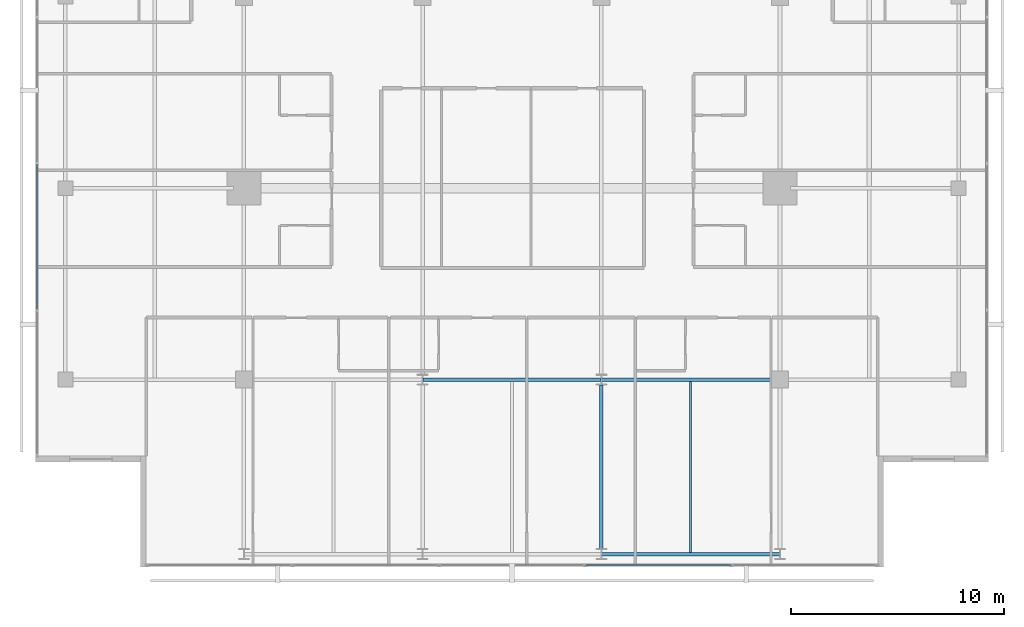
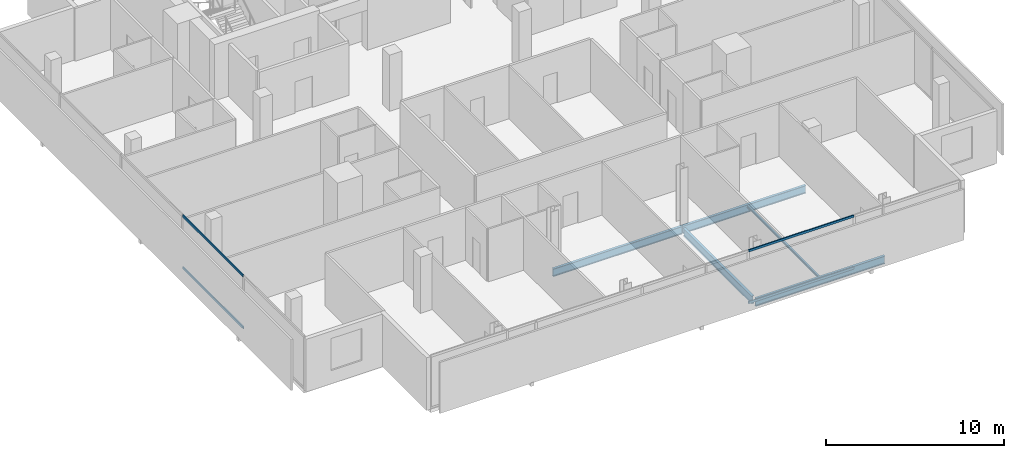
# One storey, part 7 of 25: 5 beams, 4 members, 2 elements without a shape of their own.
"""IFC4 building model written with IfcOpenShell, lengths in metres."""

from ifc_helpers import new_model, si_unit, direction, frame, origin, origin_2d, place, context, subcontext, project, spatial, hollow_rectangle, i_section, extrude, material, layer, layer_set, material_profile, profile_set, type_object, element, aggregate, save


model = new_model("IFC4")

# Units and contexts
model_context = context("Model", 3, precision=1e-05, world=origin(), true_north=direction((0.0, 1.0)))
body_context = subcontext(model_context, "Body", "Model", "MODEL_VIEW")
ifc_project = project(units=[si_unit("LENGTHUNIT", "METRE"), si_unit("AREAUNIT", "SQUARE_METRE"), si_unit("VOLUMEUNIT", "CUBIC_METRE"), si_unit("PLANEANGLEUNIT", "RADIAN"), si_unit("MASSUNIT", "GRAM", prefix="KILO")], contexts=[model_context])

# Site, building, storey
site_placement = place(None, origin())
site = spatial("IfcSite", under=ifc_project, at=site_placement, CompositionType="ELEMENT")
building_placement = place(site_placement, origin())
building = spatial("IfcBuilding", under=site, at=building_placement, Name="Maruvema Waterfront Hotel and Observation Tower", CompositionType="ELEMENT")
storey_placement = place(building_placement, frame((0.0, 0.0, 297.14990234375)))
storey = spatial("IfcBuildingStorey", under=building, at=storey_placement, Name="L73", CompositionType="ELEMENT", Elevation=297.14990234375)

# Curtain wall, members
ifc_material_1 = material(Name="Anodised bronze aluminium and solar-control low-E IGU", Category="aluminium")
ifc_layer = layer(ifc_material_1, 0.159912109375, Name="Zone 3 Champagne Inner Thermal Curtain Wall System CW-04")
ifc_layer_set = layer_set([ifc_layer], Name="Anodised bronze aluminium and solar-control low-E IGU")
curtain_wall_type = type_object("IfcCurtainWallType", Name="Zone 3 Champagne Inner Thermal Curtain Wall System CW-04", PredefinedType="USERDEFINED", material=ifc_layer_set)
curtain_wall_1_placement = place(storey_placement, origin())
curtain_wall_1 = element("IfcCurtainWall", 1, at=curtain_wall_1_placement, inside=storey, type_object=curtain_wall_type, Name="L73 Curtain Wall CW-L73-S", ObjectType="UNITISED CURTAIN WALL", PredefinedType="USERDEFINED")
ifc_material_2 = material(Name="Anodised architectural bronze aluminium", Category="aluminium")
ifc_material_profile_1 = material_profile(ifc_material_2, hollow_rectangle(XDim=0.070068359375, YDim=0.14990234375, WallThickness=0.00390625, at=origin_2d()), Name="ALU-T70x150")
ifc_profile_set_1 = profile_set([ifc_material_profile_1], Name="Anodised architectural bronze aluminium")
member_type = type_object("IfcMemberType", Name="Curtain Wall Horizontal Transom ALU-T70x150", PredefinedType="USERDEFINED", material=ifc_profile_set_1)
member_1_placement = place(storey_placement, frame((41.27001953125, 9.280029296875, 0.030029296875), z_axis=(1.0, 0.0, 0.0), x_axis=(0.0, 1.0, 0.0)))
member_1 = element("IfcMember", 2, at=member_1_placement, type_object=member_type, Name="CW-04 transom 4.1", ObjectType="TRANSOM", PredefinedType="USERDEFINED", context=body_context, shape_type="SweptSolid", body=[
    extrude(hollow_rectangle(XDim=0.070068359375, YDim=0.14990234375, WallThickness=0.00390625, at=origin_2d()), origin(), (0.0, 0.0, 1.0), 6.820068359375),
])
member_2_placement = place(storey_placement, frame((41.27001953125, 9.280029296875, 3.580078125), z_axis=(1.0, 0.0, 0.0), x_axis=(0.0, 1.0, 0.0)))
member_2 = element("IfcMember", 3, at=member_2_placement, type_object=member_type, Name="CW-04 transom 4.2", ObjectType="TRANSOM", PredefinedType="USERDEFINED", context=body_context, shape_type="SweptSolid", body=[
    extrude(hollow_rectangle(XDim=0.070068359375, YDim=0.14990234375, WallThickness=0.00390625, at=origin_2d()), origin(), (0.0, 0.0, 1.0), 6.820068359375),
])
aggregate(curtain_wall_1, [member_1, member_2])

curtain_wall_2_placement = place(storey_placement, origin())
curtain_wall_2 = element("IfcCurtainWall", 4, at=curtain_wall_2_placement, inside=storey, type_object=curtain_wall_type, Name="L73 Curtain Wall CW-L73-W", ObjectType="UNITISED CURTAIN WALL", PredefinedType="USERDEFINED")
member_3_placement = place(storey_placement, frame((15.47998046875, 28.1298828125, 0.030029296875), z_axis=(0.0, -1.0, 0.0), x_axis=(1.0, 0.0, 0.0)))
member_3 = element("IfcMember", 5, at=member_3_placement, type_object=member_type, Name="CW-04 transom 4.1", ObjectType="TRANSOM", PredefinedType="USERDEFINED", context=body_context, shape_type="SweptSolid", body=[
    extrude(hollow_rectangle(XDim=0.070068359375, YDim=0.14990234375, WallThickness=0.00390625, at=origin_2d()), origin(), (0.0, 0.0, 1.0), 6.81982421875),
])
member_4_placement = place(storey_placement, frame((15.47998046875, 28.1298828125, 3.580078125), z_axis=(0.0, -1.0, 0.0), x_axis=(1.0, 0.0, 0.0)))
member_4 = element("IfcMember", 6, at=member_4_placement, type_object=member_type, Name="CW-04 transom 4.2", ObjectType="TRANSOM", PredefinedType="USERDEFINED", context=body_context, shape_type="SweptSolid", body=[
    extrude(hollow_rectangle(XDim=0.070068359375, YDim=0.14990234375, WallThickness=0.00390625, at=origin_2d()), origin(), (0.0, 0.0, 1.0), 6.81982421875),
])
aggregate(curtain_wall_2, [member_3, member_4])

# Beams
ifc_material_3 = material(Name="Steel ASTM A572 Grade 50", Category="steel")
ifc_material_profile_2 = material_profile(ifc_material_3, i_section(OverallWidth=0.166015625, OverallDepth=0.529052734375, WebThickness=0.009765625, FlangeThickness=0.013671875, FilletRadius=0.014892578125, at=origin_2d()), Name="W530x74.0")
ifc_profile_set_2 = profile_set([ifc_material_profile_2], Name="Steel ASTM A572 Grade 50")
beam_type_1 = type_object("IfcBeamType", Name="Primary Floor Girder W530x74.0", PredefinedType="BEAM", material=ifc_profile_set_2)
for number, where, z_axis, x_axis, name in (
    (7, (42.010986328125, 9.800048828125, -0.50439453125), (1.0, 0.0, 0.0), (0.0, 1.0, 0.0), "L73 Floor Girder EW-03"),
    (8, (33.611083984375, 18.0, -0.50439453125), (1.0, 0.0, 0.0), (0.0, 1.0, 0.0), "L73 Floor Girder EW-06"),
):
    element("IfcBeam", number, at=place(storey_placement, frame(where, z_axis=z_axis, x_axis=x_axis)), inside=storey, type_object=beam_type_1, Name=name, PredefinedType="BEAM", context=body_context, shape_type="SweptSolid", body=[
        extrude(i_section(OverallWidth=0.166015625, OverallDepth=0.529052734375, WebThickness=0.009765625, FlangeThickness=0.013671875, FilletRadius=0.014892578125, at=origin_2d()), origin(), (0.0, 0.0, 1.0), 8.3779296875),
    ])
beam_1_placement = place(storey_placement, frame((42.010986328125, 18.0, -0.50439453125), z_axis=(1.0, 0.0, 0.0), x_axis=(0.0, 1.0, 0.0)))
element("IfcBeam", 9, at=beam_1_placement, inside=storey, type_object=beam_type_1, Name="L73 Floor Girder EW-07", PredefinedType="BEAM", context=body_context, shape_type="SweptSolid", body=[
    extrude(i_section(OverallWidth=0.166015625, OverallDepth=0.529052734375, WebThickness=0.009765625, FlangeThickness=0.013671875, FilletRadius=0.014892578125, at=origin_2d()), origin(), (0.0, 0.0, 1.0), 7.989013671875),
])
beam_2_placement = place(storey_placement, frame((42.0, 10.050048828125, -0.50439453125), z_axis=(0.0, 1.0, 0.0), x_axis=(-1.0, 0.0, 0.0)))
element("IfcBeam", 10, at=beam_2_placement, inside=storey, type_object=beam_type_1, Name="L73 Floor Girder NS-10", PredefinedType="BEAM", context=body_context, shape_type="SweptSolid", body=[
    extrude(i_section(OverallWidth=0.166015625, OverallDepth=0.529052734375, WebThickness=0.009765625, FlangeThickness=0.013671875, FilletRadius=0.014892578125, at=origin_2d()), origin(), (0.0, 0.0, 1.0), 7.699951171875),
])
ifc_material_4 = material(Name="Steel ASTM A572 Grade 50", Category="steel")
ifc_material_profile_3 = material_profile(ifc_material_4, i_section(OverallWidth=0.10009765625, OverallDepth=0.153076171875, WebThickness=0.005859375, FlangeThickness=0.007080078125, FilletRadius=0.008056640625, at=origin_2d()), Name="W150x18.0")
ifc_profile_set_3 = profile_set([ifc_material_profile_3], Name="Steel ASTM A572 Grade 50")
beam_type_2 = type_object("IfcBeamType", Name="Secondary Floor Joist W150x18.0", PredefinedType="JOIST", material=ifc_profile_set_3)
beam_3_placement = place(storey_placement, frame((46.199951171875, 9.883056640625, -0.31640625), z_axis=(0.0, 1.0, 0.0), x_axis=(-1.0, 0.0, 0.0)))
element("IfcBeam", 11, at=beam_3_placement, inside=storey, type_object=beam_type_2, Name="L73 Secondary Floor Joist JS-06", PredefinedType="JOIST", context=body_context, shape_type="SweptSolid", body=[
    extrude(i_section(OverallWidth=0.10009765625, OverallDepth=0.153076171875, WebThickness=0.005859375, FlangeThickness=0.007080078125, FilletRadius=0.008056640625, at=origin_2d()), origin(), (0.0, 0.0, 1.0), 8.033935546875),
])

save(model, "model.ifc")
